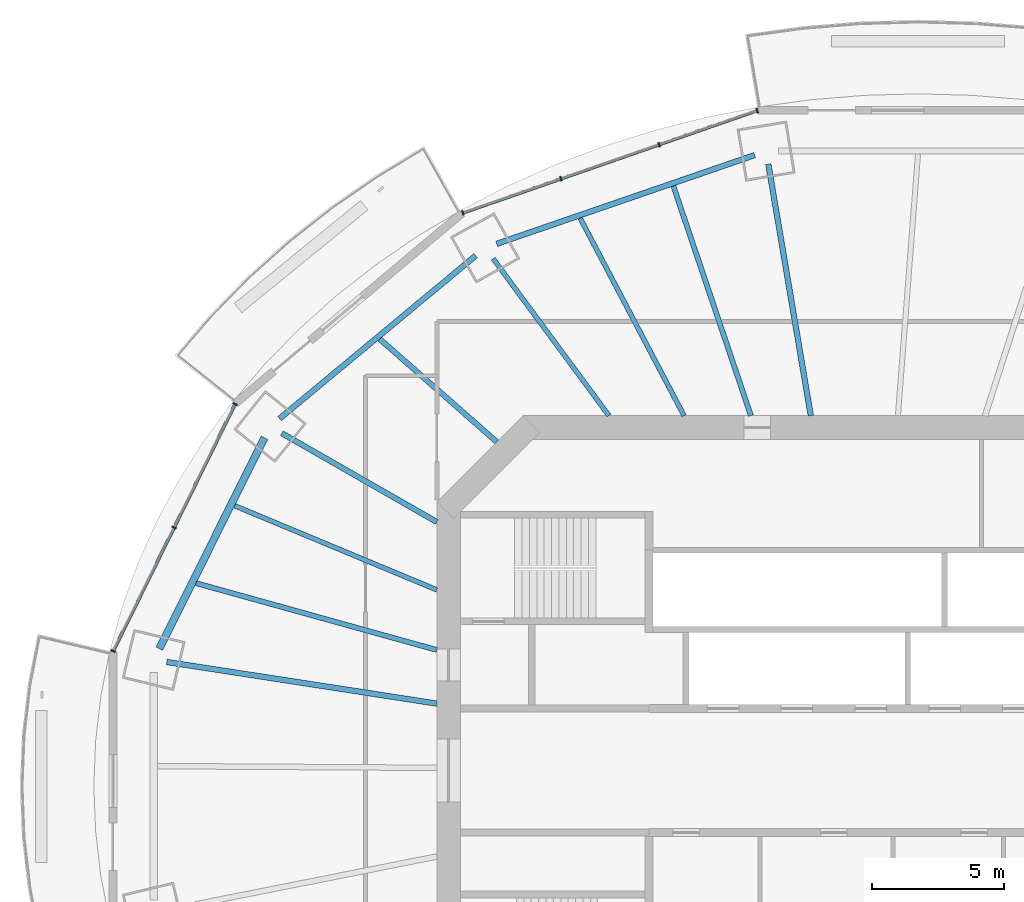
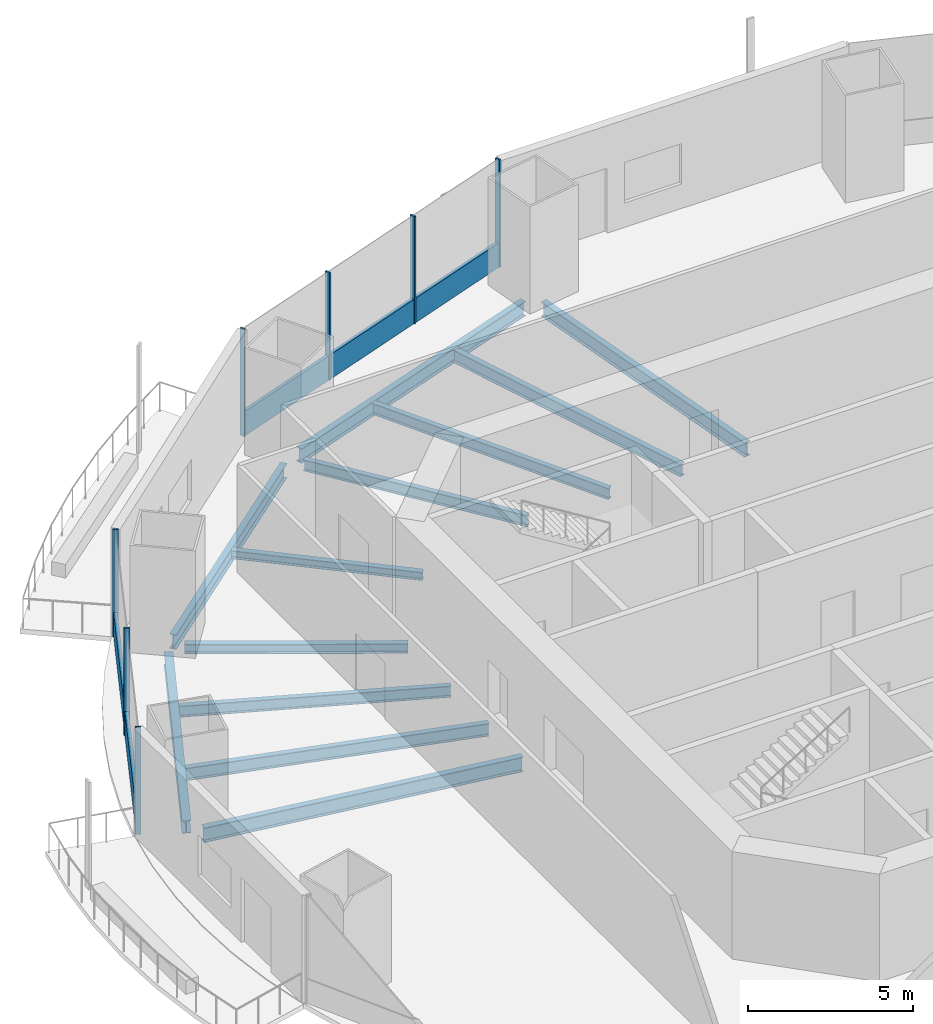
# One storey, part 6 of 20: 12 beams, 9 members, 2 elements without a shape of their own.
"""IFC4 building model written with IfcOpenShell, lengths in metres."""

from ifc_helpers import new_model, si_unit, direction, frame, origin, origin_2d, place, context, subcontext, project, spatial, rectangle, i_section, extrude, material, material_profile, profile_set, type_object, element, aggregate, save


model = new_model("IFC4")

# Units and contexts
model_context = context("Model", 3, precision=1e-05, world=origin(), true_north=direction((0.0, 1.0)))
body_context = subcontext(model_context, "Body", "Model", "MODEL_VIEW")
ifc_project = project(units=[si_unit("LENGTHUNIT", "METRE"), si_unit("AREAUNIT", "SQUARE_METRE"), si_unit("VOLUMEUNIT", "CUBIC_METRE"), si_unit("PLANEANGLEUNIT", "RADIAN"), si_unit("MASSUNIT", "GRAM", prefix="KILO")], contexts=[model_context])

# Site, building, storey
site_placement = place(None, origin())
site = spatial("IfcSite", under=ifc_project, at=site_placement, CompositionType="ELEMENT")
building_placement = place(site_placement, origin())
building = spatial("IfcBuilding", under=site, at=building_placement, Name="Marenthal Gate Tower", CompositionType="ELEMENT")
storey_placement = place(building_placement, frame((0.0, 0.0, 210.85009765625)))
storey = spatial("IfcBuildingStorey", under=building, at=storey_placement, Name="L46", CompositionType="ELEMENT", Elevation=210.85009765625)

# Curtain wall, members
ifc_material_1 = material(Name="Aluminium and glass", Category="aluminium")
curtain_wall_type = type_object("IfcCurtainWallType", Name="Curtain wall typical mid", PredefinedType="NOTDEFINED", material=ifc_material_1)
curtain_wall_1_placement = place(storey_placement, origin())
curtain_wall_1 = element("IfcCurtainWall", 1, at=curtain_wall_1_placement, inside=storey, type_object=curtain_wall_type, Name="Curtain wall L46 bay 5", PredefinedType="NOTDEFINED")
ifc_material_2 = material(Name="Aluminium", Category="aluminium")
ifc_material_profile_1 = material_profile(ifc_material_2, rectangle(XDim=0.179931640625, YDim=0.06005859375, at=origin_2d()), Name="60x180 aluminium mullion")
ifc_profile_set_1 = profile_set([ifc_material_profile_1], Name="Aluminium")
member_type_1 = type_object("IfcMemberType", Name="Mullion 60x180 typical mid", PredefinedType="MULLION", material=ifc_profile_set_1)
member_1_placement = place(storey_placement, frame((-4.301513671875, 25.01806640625, 0.0), z_axis=(0.0, 0.0, 1.0), x_axis=(0.328400483847, -0.944538576348, 0.0)))
member_1 = element("IfcMember", 2, at=member_1_placement, type_object=member_type_1, Name="Mullion L46 bay 5.1", PredefinedType="MULLION", context=body_context, shape_type="SweptSolid", body=[
    extrude(rectangle(XDim=0.179931640625, YDim=0.06005859375, at=origin_2d()), origin(), (0.0, 0.0, 1.0), 3.969970703125),
])
member_2_placement = place(storey_placement, frame((-8.023193359375, 23.72412109375, 0.0), z_axis=(0.0, 0.0, 1.0), x_axis=(0.328400483847, -0.944538576348, 0.0)))
member_2 = element("IfcMember", 3, at=member_2_placement, type_object=member_type_1, Name="Mullion L46 bay 5.2", PredefinedType="MULLION", context=body_context, shape_type="SweptSolid", body=[
    extrude(rectangle(XDim=0.179931640625, YDim=0.06005859375, at=origin_2d()), origin(), (0.0, 0.0, 1.0), 3.969970703125),
])
member_3_placement = place(storey_placement, frame((-11.744873046875, 22.43017578125, 0.0), z_axis=(0.0, 0.0, 1.0), x_axis=(0.328400483847, -0.944538576348, 0.0)))
member_3 = element("IfcMember", 4, at=member_3_placement, type_object=member_type_1, Name="Mullion L46 bay 5.3", PredefinedType="MULLION", context=body_context, shape_type="SweptSolid", body=[
    extrude(rectangle(XDim=0.179931640625, YDim=0.06005859375, at=origin_2d()), origin(), (0.0, 0.0, 1.0), 3.969970703125),
])
member_4_placement = place(storey_placement, frame((-15.466552734375, 21.13623046875, 0.0), z_axis=(0.0, 0.0, 1.0), x_axis=(0.328400483847, -0.944538576348, 0.0)))
member_4 = element("IfcMember", 5, at=member_4_placement, type_object=member_type_1, Name="Mullion L46 bay 5.4", PredefinedType="MULLION", context=body_context, shape_type="SweptSolid", body=[
    extrude(rectangle(XDim=0.179931640625, YDim=0.06005859375, at=origin_2d()), origin(), (0.0, 0.0, 1.0), 3.969970703125),
])

curtain_wall_2_placement = place(storey_placement, origin())
curtain_wall_2 = element("IfcCurtainWall", 6, at=curtain_wall_2_placement, inside=storey, type_object=curtain_wall_type, Name="Curtain wall L46 bay 7", PredefinedType="NOTDEFINED")
member_5_placement = place(storey_placement, frame((-24.096923828125, 13.89013671875, 0.0), z_axis=(0.0, 0.0, 1.0), x_axis=(0.896756924648, -0.442523466153, 0.0)))
member_5 = element("IfcMember", 7, at=member_5_placement, type_object=member_type_1, Name="Mullion L46 bay 7.1", PredefinedType="MULLION", context=body_context, shape_type="SweptSolid", body=[
    extrude(rectangle(XDim=0.179931640625, YDim=0.06005859375, at=origin_2d()), origin(), (0.0, 0.0, 1.0), 3.969970703125),
])
member_6_placement = place(storey_placement, frame((-26.40771484375, 9.20751953125, 0.0), z_axis=(0.0, 0.0, 1.0), x_axis=(0.896756924648, -0.442523466153, 0.0)))
member_6 = element("IfcMember", 8, at=member_6_placement, type_object=member_type_1, Name="Mullion L46 bay 7.2", PredefinedType="MULLION", context=body_context, shape_type="SweptSolid", body=[
    extrude(rectangle(XDim=0.179931640625, YDim=0.06005859375, at=origin_2d()), origin(), (0.0, 0.0, 1.0), 3.969970703125),
])
member_7_placement = place(storey_placement, frame((-28.718505859375, 4.524658203125, 0.0), z_axis=(0.0, 0.0, 1.0), x_axis=(0.896756924648, -0.442523466153, 0.0)))
member_7 = element("IfcMember", 9, at=member_7_placement, type_object=member_type_1, Name="Mullion L46 bay 7.3", PredefinedType="MULLION", context=body_context, shape_type="SweptSolid", body=[
    extrude(rectangle(XDim=0.179931640625, YDim=0.06005859375, at=origin_2d()), origin(), (0.0, 0.0, 1.0), 3.969970703125),
])

# Member
ifc_material_3 = material(Name="Aluminium", Category="aluminium")
ifc_material_profile_2 = material_profile(ifc_material_3, rectangle(XDim=0.1201171875, YDim=0.89990234375, at=origin_2d()), Name="120x900 aluminium transom")
ifc_profile_set_2 = profile_set([ifc_material_profile_2], Name="Aluminium")
member_type_2 = type_object("IfcMemberType", Name="Transom 120x900 typical mid", PredefinedType="USERDEFINED", material=ifc_profile_set_2)
member_8_placement = place(storey_placement, frame((-4.329833984375, 25.00830078125, 0.449951171875), z_axis=(-0.944535997597, -0.328407900703, 0.0), x_axis=(0.328407900703, -0.944535997597, 0.0)))
member_8 = element("IfcMember", 10, at=member_8_placement, type_object=member_type_2, Name="Transom L46 bay 5", ObjectType="TRANSOM", PredefinedType="USERDEFINED", context=body_context, shape_type="SweptSolid", body=[
    extrude(rectangle(XDim=0.1201171875, YDim=0.89990234375, at=origin_2d()), origin(), (0.0, 0.0, 1.0), 11.7607421875),
])

aggregate(curtain_wall_1, [member_1, member_2, member_3, member_4, member_8])

member_9_placement = place(storey_placement, frame((-24.110107421875, 13.86328125, 0.449951171875), z_axis=(-0.442533403339, -0.896752020867, 0.0), x_axis=(0.896752020867, -0.442533403339, 0.0)))
member_9 = element("IfcMember", 11, at=member_9_placement, type_object=member_type_2, Name="Transom L46 bay 7", ObjectType="TRANSOM", PredefinedType="USERDEFINED", context=body_context, shape_type="SweptSolid", body=[
    extrude(rectangle(XDim=0.1201171875, YDim=0.89990234375, at=origin_2d()), origin(), (0.0, 0.0, 1.0), 10.3837890625),
])

aggregate(curtain_wall_2, [member_5, member_6, member_7, member_9])

# Beams
ifc_material_4 = material(Name="Steel S355", Category="steel")
ifc_material_profile_3 = material_profile(ifc_material_4, i_section(OverallWidth=0.202880859375, OverallDepth=0.302001953125, WebThickness=0.007568359375, FlangeThickness=0.01318359375, FilletRadius=0.0126953125, at=origin_2d()), Name="W310X60")
ifc_profile_set_3 = profile_set([ifc_material_profile_3], Name="Steel S355")
beam_type_1 = type_object("IfcBeamType", Name="W310X60 beam", PredefinedType="BEAM", material=ifc_profile_set_3)
beam_1_placement = place(storey_placement, frame((-18.61279296875, 16.35498046875, -0.3310546875), z_axis=(0.751209637029, -0.660063694832, 0.0), x_axis=(0.660063694832, 0.751209637029, 0.0)))
element("IfcBeam", 12, at=beam_1_placement, inside=storey, type_object=beam_type_1, Name="BM-L46-25", PredefinedType="BEAM", context=body_context, shape_type="SweptSolid", body=[
    extrude(i_section(OverallWidth=0.202880859375, OverallDepth=0.302001953125, WebThickness=0.007568359375, FlangeThickness=0.01318359375, FilletRadius=0.0126953125, at=origin_2d()), origin(), (0.0, 0.0, 1.0), 5.903564453125),
])
ifc_material_5 = material(Name="Steel S355", Category="steel")
ifc_material_profile_4 = material_profile(ifc_material_5, i_section(OverallWidth=0.205078125, OverallDepth=0.35302734375, WebThickness=0.009521484375, FlangeThickness=0.016845703125, FilletRadius=0.014892578125, at=origin_2d()), Name="W360X79")
ifc_profile_set_4 = profile_set([ifc_material_profile_4], Name="Steel S355")
beam_type_2 = type_object("IfcBeamType", Name="W360X79 beam", PredefinedType="BEAM", material=ifc_profile_set_4)
beam_2_placement = place(storey_placement, frame((-22.3251953125, 12.78466796875, -0.356689453125), z_axis=(0.867783421329, -0.496942585886, 0.0), x_axis=(0.496942585886, 0.867783421329, 0.0)))
element("IfcBeam", 13, at=beam_2_placement, inside=storey, type_object=beam_type_2, Name="BM-L46-07", PredefinedType="BEAM", context=body_context, shape_type="SweptSolid", body=[
    extrude(i_section(OverallWidth=0.205078125, OverallDepth=0.35302734375, WebThickness=0.009521484375, FlangeThickness=0.016845703125, FilletRadius=0.014892578125, at=origin_2d()), origin(), (0.0, 0.0, 1.0), 6.7705078125),
])
ifc_material_6 = material(Name="Steel S355", Category="steel")
ifc_material_profile_5 = material_profile(ifc_material_6, i_section(OverallWidth=0.180908203125, OverallDepth=0.4169921875, WebThickness=0.010986328125, FlangeThickness=0.018310546875, FilletRadius=0.01025390625, at=origin_2d()), Name="W410X85")
ifc_profile_set_5 = profile_set([ifc_material_profile_5], Name="Steel S355")
beam_type_3 = type_object("IfcBeamType", Name="W410X85 beam", PredefinedType="BEAM", material=ifc_profile_set_5)
beam_3_placement = place(storey_placement, frame((-14.315185546875, 19.403564453125, -0.388671875), z_axis=(0.593655954995, -0.804718961563, 0.0), x_axis=(0.804718961563, 0.593655954995, 0.0)))
element("IfcBeam", 14, at=beam_3_placement, inside=storey, type_object=beam_type_3, Name="BM-L46-06", PredefinedType="BEAM", context=body_context, shape_type="SweptSolid", body=[
    extrude(i_section(OverallWidth=0.180908203125, OverallDepth=0.4169921875, WebThickness=0.010986328125, FlangeThickness=0.018310546875, FilletRadius=0.01025390625, at=origin_2d()), origin(), (0.0, 0.0, 1.0), 7.3984375),
])
beam_4_placement = place(storey_placement, frame((-11.016357421875, 20.939697265625, -0.388671875), z_axis=(0.46558115767, -0.885005189602, 0.0), x_axis=(0.885005189602, 0.46558115767, 0.0)))
element("IfcBeam", 15, at=beam_4_placement, inside=storey, type_object=beam_type_3, Name="BM-L46-24", PredefinedType="BEAM", context=body_context, shape_type="SweptSolid", body=[
    extrude(i_section(OverallWidth=0.180908203125, OverallDepth=0.4169921875, WebThickness=0.010986328125, FlangeThickness=0.018310546875, FilletRadius=0.01025390625, at=origin_2d()), origin(), (0.0, 0.0, 1.0), 8.462890625),
])
beam_5_placement = place(storey_placement, frame((-24.111572265625, 10.03564453125, -0.388671875), z_axis=(0.923221340897, -0.384268598394, 0.0), x_axis=(0.384268598394, 0.923221340897, 0.0)))
element("IfcBeam", 16, at=beam_5_placement, inside=storey, type_object=beam_type_3, Name="BM-L46-26", PredefinedType="BEAM", context=body_context, shape_type="SweptSolid", body=[
    extrude(i_section(OverallWidth=0.180908203125, OverallDepth=0.4169921875, WebThickness=0.010986328125, FlangeThickness=0.018310546875, FilletRadius=0.01025390625, at=origin_2d()), origin(), (0.0, 0.0, 1.0), 8.298828125),
])
ifc_material_7 = material(Name="Steel S355", Category="steel")
ifc_material_profile_6 = material_profile(ifc_material_7, i_section(OverallWidth=0.279052734375, OverallDepth=0.4619140625, WebThickness=0.0107421875, FlangeThickness=0.017333984375, FilletRadius=0.010009765625, at=origin_2d()), Name="W460X113")
ifc_profile_set_6 = profile_set([ifc_material_profile_6], Name="Steel S355")
beam_type_4 = type_object("IfcBeamType", Name="W460X113 beam", PredefinedType="BEAM", material=ifc_profile_set_6)
beam_6_placement = place(storey_placement, frame((-22.980712890625, 12.616455078125, -0.4111328125), z_axis=(-0.44619754622, -0.894934494668, 0.0), x_axis=(0.894934494668, -0.44619754622, 0.0)))
element("IfcBeam", 17, at=beam_6_placement, inside=storey, type_object=beam_type_4, Name="BM-L46-47", PredefinedType="BEAM", context=body_context, shape_type="SweptSolid", body=[
    extrude(i_section(OverallWidth=0.279052734375, OverallDepth=0.4619140625, WebThickness=0.0107421875, FlangeThickness=0.017333984375, FilletRadius=0.010009765625, at=origin_2d()), origin(), (0.0, 0.0, 1.0), 8.941162109375),
])
ifc_material_8 = material(Name="Steel S355", Category="steel")
ifc_material_profile_7 = material_profile(ifc_material_8, i_section(OverallWidth=0.193115234375, OverallDepth=0.467041015625, WebThickness=0.011474609375, FlangeThickness=0.01904296875, FilletRadius=0.010009765625, at=origin_2d()), Name="W460X97")
ifc_profile_set_7 = profile_set([ifc_material_profile_7], Name="Steel S355")
beam_type_5 = type_object("IfcBeamType", Name="W460X97 beam", PredefinedType="BEAM", material=ifc_profile_set_7)
beam_7_placement = place(storey_placement, frame((-7.481689453125, 22.156005859375, -0.41357421875), z_axis=(0.319915789706, -0.947445981308, 0.0), x_axis=(0.947445981308, 0.319915789706, 0.0)))
element("IfcBeam", 18, at=beam_7_placement, inside=storey, type_object=beam_type_5, Name="BM-L46-23", PredefinedType="BEAM", context=body_context, shape_type="SweptSolid", body=[
    extrude(i_section(OverallWidth=0.193115234375, OverallDepth=0.467041015625, WebThickness=0.011474609375, FlangeThickness=0.01904296875, FilletRadius=0.010009765625, at=origin_2d()), origin(), (0.0, 0.0, 1.0), 9.18896484375),
])
beam_8_placement = place(storey_placement, frame((-25.574462890625, 7.101318359375, -0.41357421875), z_axis=(0.963542283164, -0.267556103566, 0.0), x_axis=(0.267556103566, 0.963542283164, 0.0)))
element("IfcBeam", 19, at=beam_8_placement, inside=storey, type_object=beam_type_5, Name="BM-L46-27", PredefinedType="BEAM", context=body_context, shape_type="SweptSolid", body=[
    extrude(i_section(OverallWidth=0.193115234375, OverallDepth=0.467041015625, WebThickness=0.011474609375, FlangeThickness=0.01904296875, FilletRadius=0.010009765625, at=origin_2d()), origin(), (0.0, 0.0, 1.0), 9.4697265625),
])
ifc_material_9 = material(Name="Steel S355", Category="steel")
ifc_material_profile_8 = material_profile(ifc_material_9, i_section(OverallWidth=0.2099609375, OverallDepth=0.535888671875, WebThickness=0.010986328125, FlangeThickness=0.017333984375, FilletRadius=0.0126953125, at=origin_2d()), Name="W530X101")
ifc_profile_set_8 = profile_set([ifc_material_profile_8], Name="Steel S355")
beam_type_6 = type_object("IfcBeamType", Name="W530X101 beam", PredefinedType="BEAM", material=ifc_profile_set_8)
beam_9_placement = place(storey_placement, frame((-3.881591796875, 22.9853515625, -0.447998046875), z_axis=(0.166498827313, -0.986041652519, 0.0), x_axis=(0.986041652519, 0.166498827313, 0.0)))
element("IfcBeam", 20, at=beam_9_placement, inside=storey, type_object=beam_type_6, Name="BM-L46-05", PredefinedType="BEAM", context=body_context, shape_type="SweptSolid", body=[
    extrude(i_section(OverallWidth=0.2099609375, OverallDepth=0.535888671875, WebThickness=0.010986328125, FlangeThickness=0.017333984375, FilletRadius=0.0126953125, at=origin_2d()), origin(), (0.0, 0.0, 1.0), 9.67041015625),
])
ifc_material_10 = material(Name="Steel S355", Category="steel")
ifc_material_profile_9 = material_profile(ifc_material_10, i_section(OverallWidth=0.2119140625, OverallDepth=0.5439453125, WebThickness=0.01318359375, FlangeThickness=0.021240234375, FilletRadius=0.0126953125, at=origin_2d()), Name="W530X123")
ifc_profile_set_9 = profile_set([ifc_material_profile_9], Name="Steel S355")
beam_type_7 = type_object("IfcBeamType", Name="W530X123 beam", PredefinedType="BEAM", material=ifc_profile_set_9)
beam_10_placement = place(storey_placement, frame((-26.684814453125, 4.11279296875, -0.4521484375), z_axis=(0.988331052625, -0.152321142384, 0.0), x_axis=(0.152321142384, 0.988331052625, 0.0)))
element("IfcBeam", 21, at=beam_10_placement, inside=storey, type_object=beam_type_7, Name="BM-L46-08", PredefinedType="BEAM", context=body_context, shape_type="SweptSolid", body=[
    extrude(i_section(OverallWidth=0.2119140625, OverallDepth=0.5439453125, WebThickness=0.01318359375, FlangeThickness=0.021240234375, FilletRadius=0.0126953125, at=origin_2d()), origin(), (0.0, 0.0, 1.0), 10.355712890625),
])
beam_11_placement = place(storey_placement, frame((-4.4033203125, 23.327392578125, -0.4521484375), z_axis=(-0.945577858805, -0.325395932578, 0.0), x_axis=(0.325395932578, -0.945577858805, 0.0)))
element("IfcBeam", 22, at=beam_11_placement, inside=storey, type_object=beam_type_7, Name="BM-L46-45", PredefinedType="BEAM", context=body_context, shape_type="SweptSolid", body=[
    extrude(i_section(OverallWidth=0.2119140625, OverallDepth=0.5439453125, WebThickness=0.01318359375, FlangeThickness=0.021240234375, FilletRadius=0.0126953125, at=origin_2d()), origin(), (0.0, 0.0, 1.0), 10.336669921875),
])
beam_12_placement = place(storey_placement, frame((-14.97607421875, 19.514404296875, -0.4521484375), z_axis=(-0.76917508894, -0.639038091629, 0.0), x_axis=(0.639038091629, -0.76917508894, 0.0)))
element("IfcBeam", 23, at=beam_12_placement, inside=storey, type_object=beam_type_7, Name="BM-L46-46", PredefinedType="BEAM", context=body_context, shape_type="SweptSolid", body=[
    extrude(i_section(OverallWidth=0.2119140625, OverallDepth=0.5439453125, WebThickness=0.01318359375, FlangeThickness=0.021240234375, FilletRadius=0.0126953125, at=origin_2d()), origin(), (0.0, 0.0, 1.0), 9.663330078125),
])

save(model, "model.ifc")
